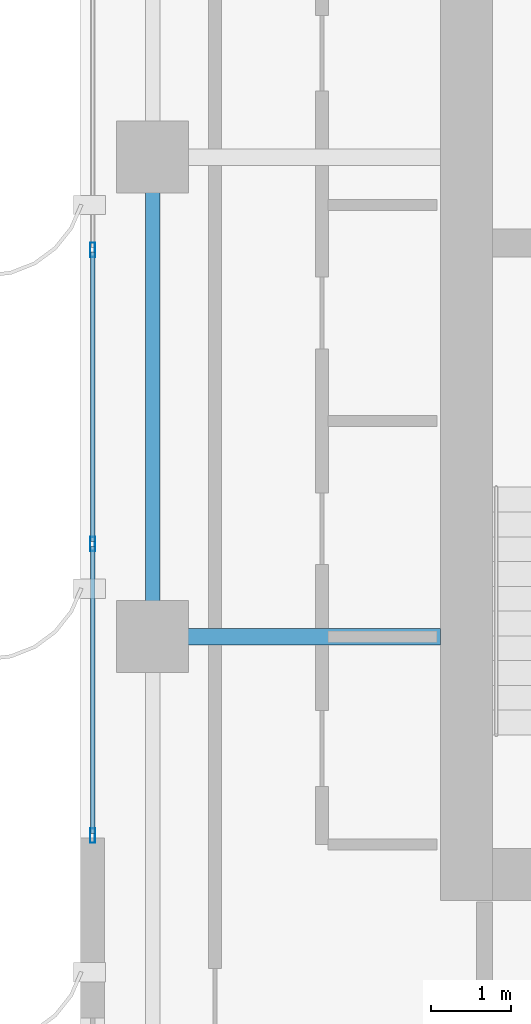
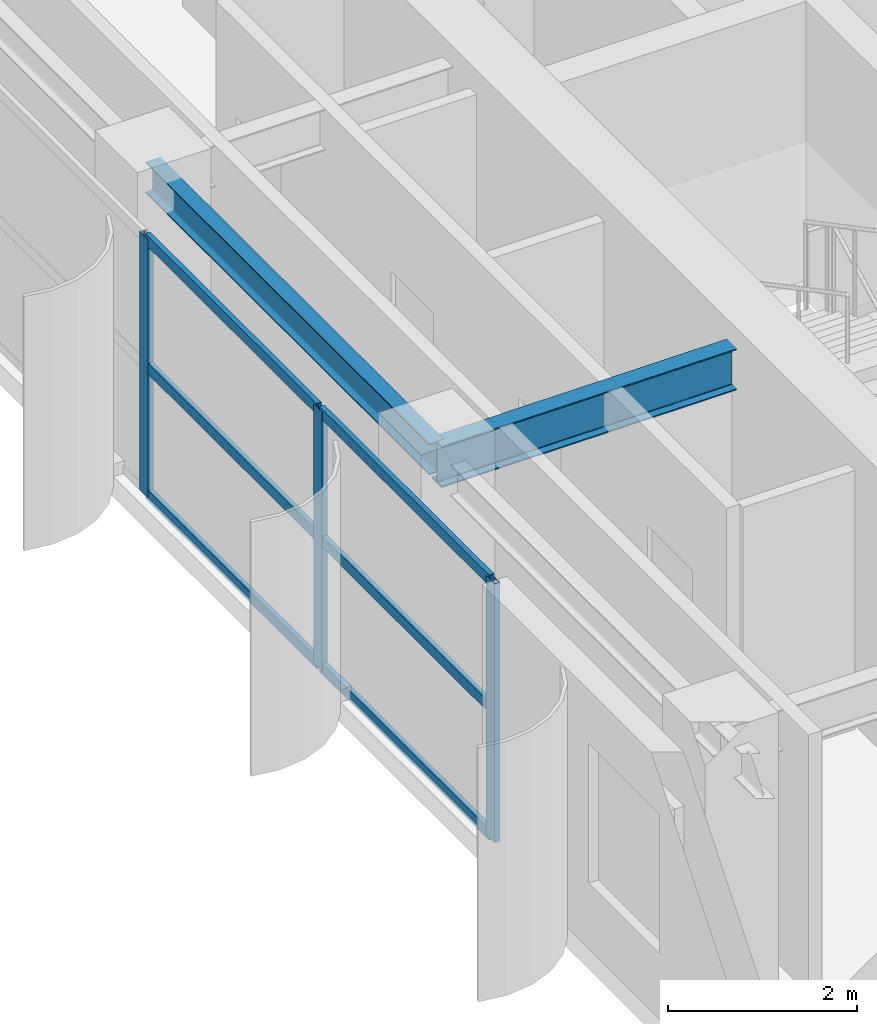
# One storey, part 4 of 22: 9 members, 2 beams, 1 element without a shape of its own.
"""IFC4 building model written with IfcOpenShell, lengths in metres."""

from ifc_helpers import new_model, si_unit, direction, frame, origin, origin_2d, place, context, subcontext, project, spatial, hollow_rectangle, i_section, extrude, source, transform, mapped, material, layer, layer_set, material_profile, profile_set, type_object, element, aggregate, save


model = new_model("IFC4")

# Units and contexts
model_context = context("Model", 3, precision=1e-05, world=origin(), true_north=direction((0.0, 1.0)))
body_context = subcontext(model_context, "Body", "Model", "MODEL_VIEW")
ifc_project = project(units=[si_unit("LENGTHUNIT", "METRE"), si_unit("AREAUNIT", "SQUARE_METRE"), si_unit("VOLUMEUNIT", "CUBIC_METRE"), si_unit("PLANEANGLEUNIT", "RADIAN"), si_unit("MASSUNIT", "GRAM", prefix="KILO")], contexts=[model_context])

# Site, building, storey
site_placement = place(None, origin())
site = spatial("IfcSite", under=ifc_project, at=site_placement, CompositionType="ELEMENT")
building_placement = place(site_placement, origin())
building = spatial("IfcBuilding", under=site, at=building_placement, Name="Khoralis Quay Care Tower", CompositionType="ELEMENT")
storey_placement = place(building_placement, frame((0.0, 0.0, 180.89990234375)))
storey = spatial("IfcBuildingStorey", under=building, at=storey_placement, Name="L47", CompositionType="ELEMENT", Elevation=180.89990234375)

# Beams
ifc_material_1 = material(Name="Steel S355", Category="steel")
ifc_material_profile_1 = material_profile(ifc_material_1, i_section(OverallWidth=0.179931640625, OverallDepth=0.39990234375, WebThickness=0.008544921875, FlangeThickness=0.013427734375, FilletRadius=0.02099609375, at=origin_2d()), Name="Steel S355")
ifc_profile_set_1 = profile_set([ifc_material_profile_1], Name="Steel S355")
beam_type_1 = type_object("IfcBeamType", Name="BM-IPE400", PredefinedType="SPANDREL", material=ifc_profile_set_1)
shared_shape_1 = source(origin(), body_context, "Body", "SweptSolid", [
    extrude(i_section(OverallWidth=0.179931640625, OverallDepth=0.39990234375, WebThickness=0.008544921875, FlangeThickness=0.013427734375, FilletRadius=0.02099609375, at=origin_2d()), origin(), (0.0, 0.0, 1.0), 6.0),
])
beam_1_placement = place(storey_placement, frame((3.89990234375, 18.0, 3.14013671875), z_axis=(0.0, 1.0, 0.0), x_axis=(-1.0, 0.0, 0.0)))
element("IfcBeam", 1, at=beam_1_placement, inside=storey, type_object=beam_type_1, Name="BM-TSP-L47-11", PredefinedType="SPANDREL", context=body_context, shape_type="MappedRepresentation", body=[
    mapped(shared_shape_1, transform((0.0, 0.0, 0.0), scale=1.0)),
])
ifc_material_profile_2 = material_profile(ifc_material_1, i_section(OverallWidth=0.208984375, OverallDepth=0.532958984375, WebThickness=0.01025390625, FlangeThickness=0.015625, FilletRadius=0.01611328125, at=origin_2d()), Name="Steel S355")
ifc_profile_set_2 = profile_set([ifc_material_profile_2], Name="Steel S355")
beam_type_2 = type_object("IfcBeamType", Name="BM-W530X92", PredefinedType="BEAM", material=ifc_profile_set_2)
shared_shape_2 = source(origin(), body_context, "Body", "SweptSolid", [
    extrude(i_section(OverallWidth=0.208984375, OverallDepth=0.532958984375, WebThickness=0.01025390625, FlangeThickness=0.015625, FilletRadius=0.01611328125, at=origin_2d()), origin(), (0.0, 0.0, 1.0), 3.60205078125),
])
beam_2_placement = place(storey_placement, frame((3.89990234375, 18.0, 3.073486328125), z_axis=(1.0, 0.0, 0.0), x_axis=(0.0, 1.0, 0.0)))
element("IfcBeam", 2, at=beam_2_placement, inside=storey, type_object=beam_type_2, Name="BM-TGXW-L47-180", PredefinedType="BEAM", context=body_context, shape_type="MappedRepresentation", body=[
    mapped(shared_shape_2, transform((0.0, 0.0, 0.0), scale=1.0)),
])

# Curtain wall, members
ifc_material_2 = material(Name="Pale anodised aluminium", Category="aluminium")
ifc_layer = layer(ifc_material_2, 0.159912109375)
ifc_layer_set = layer_set([ifc_layer], Name="Pale anodised aluminium")
curtain_wall_type = type_object("IfcCurtainWallType", Name="CW-SYS-Z3", PredefinedType="NOTDEFINED", material=ifc_layer_set)
curtain_wall_placement = place(storey_placement, origin())
curtain_wall = element("IfcCurtainWall", 3, at=curtain_wall_placement, inside=storey, type_object=curtain_wall_type, Name="L47 Unitised Curtain Wall CW-L47-P1-E15", PredefinedType="NOTDEFINED")
ifc_material_profile_3 = material_profile(ifc_material_2, hollow_rectangle(XDim=0.06494140625, YDim=0.179931640625, WallThickness=0.00390625, at=origin_2d()), Name="Pale anodised aluminium")
ifc_profile_set_3 = profile_set([ifc_material_profile_3], Name="Pale anodised aluminium")
member_type_1 = type_object("IfcMemberType", Name="CW-MUL-180", PredefinedType="MULLION", material=ifc_profile_set_3)
shared_shape_3 = source(origin(), body_context, "Body", "SweptSolid", [
    extrude(hollow_rectangle(XDim=0.06494140625, YDim=0.179931640625, WallThickness=0.00390625, at=origin_2d()), origin(), (0.0, 0.0, 1.0), 3.340087890625),
])
member_1_placement = place(storey_placement, frame((3.14990234375, 22.840087890625, 0.0), z_axis=(0.0, 0.0, 1.0), x_axis=(1.0, 0.0, 0.0)))
member_1 = element("IfcMember", 4, at=member_1_placement, type_object=member_type_1, Name="CW3 mullion 2", PredefinedType="MULLION", context=body_context, shape_type="MappedRepresentation", body=[
    mapped(shared_shape_3, transform((0.0, 0.0, 0.0), scale=1.0)),
])
member_2_placement = place(storey_placement, frame((3.14990234375, 19.159912109375, 0.0), z_axis=(0.0, 0.0, 1.0), x_axis=(1.0, 0.0, 0.0)))
member_2 = element("IfcMember", 5, at=member_2_placement, type_object=member_type_1, Name="CW3 mullion 3", PredefinedType="MULLION", context=body_context, shape_type="MappedRepresentation", body=[
    mapped(shared_shape_3, transform((0.0, 0.0, 0.0), scale=1.0)),
])
member_3_placement = place(storey_placement, frame((3.14990234375, 15.510009765625, 0.0), z_axis=(0.0, 0.0, 1.0), x_axis=(1.0, 0.0, 0.0)))
member_3 = element("IfcMember", 6, at=member_3_placement, type_object=member_type_1, Name="CW3 mullion 4", PredefinedType="MULLION", context=body_context, shape_type="MappedRepresentation", body=[
    mapped(shared_shape_3, transform((0.0, 0.0, 0.0), scale=1.0)),
])
ifc_material_profile_4 = material_profile(ifc_material_2, hollow_rectangle(XDim=0.06005859375, YDim=0.139892578125, WallThickness=0.00390625, at=origin_2d()), Name="Pale anodised aluminium")
ifc_profile_set_4 = profile_set([ifc_material_profile_4], Name="Pale anodised aluminium")
member_type_2 = type_object("IfcMemberType", Name="CW-TRN-140", PredefinedType="USERDEFINED", material=ifc_profile_set_4)
shared_shape_4 = source(origin(), body_context, "Body", "SweptSolid", [
    extrude(hollow_rectangle(XDim=0.06005859375, YDim=0.139892578125, WallThickness=0.00390625, at=origin_2d()), origin(), (0.0, 0.0, 1.0), 3.58984375),
])
member_4_placement = place(storey_placement, frame((3.14990234375, 19.1298828125, 0.030029296875), z_axis=(0.0, -1.0, 0.0), x_axis=(1.0, 0.0, 0.0)))
member_4 = element("IfcMember", 7, at=member_4_placement, type_object=member_type_2, Name="CW3 transom 3.1", ObjectType="TRANSOM", PredefinedType="USERDEFINED", context=body_context, shape_type="MappedRepresentation", body=[
    mapped(shared_shape_4, transform((0.0, 0.0, 0.0), scale=1.0)),
])
member_5_placement = place(storey_placement, frame((3.14990234375, 19.1298828125, 1.670166015625), z_axis=(0.0, -1.0, 0.0), x_axis=(1.0, 0.0, 0.0)))
member_5 = element("IfcMember", 8, at=member_5_placement, type_object=member_type_2, Name="CW3 transom 3.2", ObjectType="TRANSOM", PredefinedType="USERDEFINED", context=body_context, shape_type="MappedRepresentation", body=[
    mapped(shared_shape_4, transform((0.0, 0.0, 0.0), scale=1.0)),
])
member_6_placement = place(storey_placement, frame((3.14990234375, 19.1298828125, 3.31005859375), z_axis=(0.0, -1.0, 0.0), x_axis=(1.0, 0.0, 0.0)))
member_6 = element("IfcMember", 9, at=member_6_placement, type_object=member_type_2, Name="CW3 transom 3.3", ObjectType="TRANSOM", PredefinedType="USERDEFINED", context=body_context, shape_type="MappedRepresentation", body=[
    mapped(shared_shape_4, transform((0.0, 0.0, 0.0), scale=1.0)),
])
shared_shape_5 = source(origin(), body_context, "Body", "SweptSolid", [
    extrude(hollow_rectangle(XDim=0.06005859375, YDim=0.139892578125, WallThickness=0.00390625, at=origin_2d()), origin(), (0.0, 0.0, 1.0), 3.6201171875),
])
member_7_placement = place(storey_placement, frame((3.14990234375, 22.81005859375, 0.030029296875), z_axis=(0.0, -1.0, 0.0), x_axis=(1.0, 0.0, 0.0)))
member_7 = element("IfcMember", 10, at=member_7_placement, type_object=member_type_2, Name="CW3 transom 2.1", ObjectType="TRANSOM", PredefinedType="USERDEFINED", context=body_context, shape_type="MappedRepresentation", body=[
    mapped(shared_shape_5, transform((0.0, 0.0, 0.0), scale=1.0)),
])
member_8_placement = place(storey_placement, frame((3.14990234375, 22.81005859375, 1.670166015625), z_axis=(0.0, -1.0, 0.0), x_axis=(1.0, 0.0, 0.0)))
member_8 = element("IfcMember", 11, at=member_8_placement, type_object=member_type_2, Name="CW3 transom 2.2", ObjectType="TRANSOM", PredefinedType="USERDEFINED", context=body_context, shape_type="MappedRepresentation", body=[
    mapped(shared_shape_5, transform((0.0, 0.0, 0.0), scale=1.0)),
])
member_9_placement = place(storey_placement, frame((3.14990234375, 22.81005859375, 3.31005859375), z_axis=(0.0, -1.0, 0.0), x_axis=(1.0, 0.0, 0.0)))
member_9 = element("IfcMember", 12, at=member_9_placement, type_object=member_type_2, Name="CW3 transom 2.3", ObjectType="TRANSOM", PredefinedType="USERDEFINED", context=body_context, shape_type="MappedRepresentation", body=[
    mapped(shared_shape_5, transform((0.0, 0.0, 0.0), scale=1.0)),
])
aggregate(curtain_wall, [member_1, member_2, member_3, member_7, member_8, member_9, member_4, member_5, member_6])

save(model, "model.ifc")
